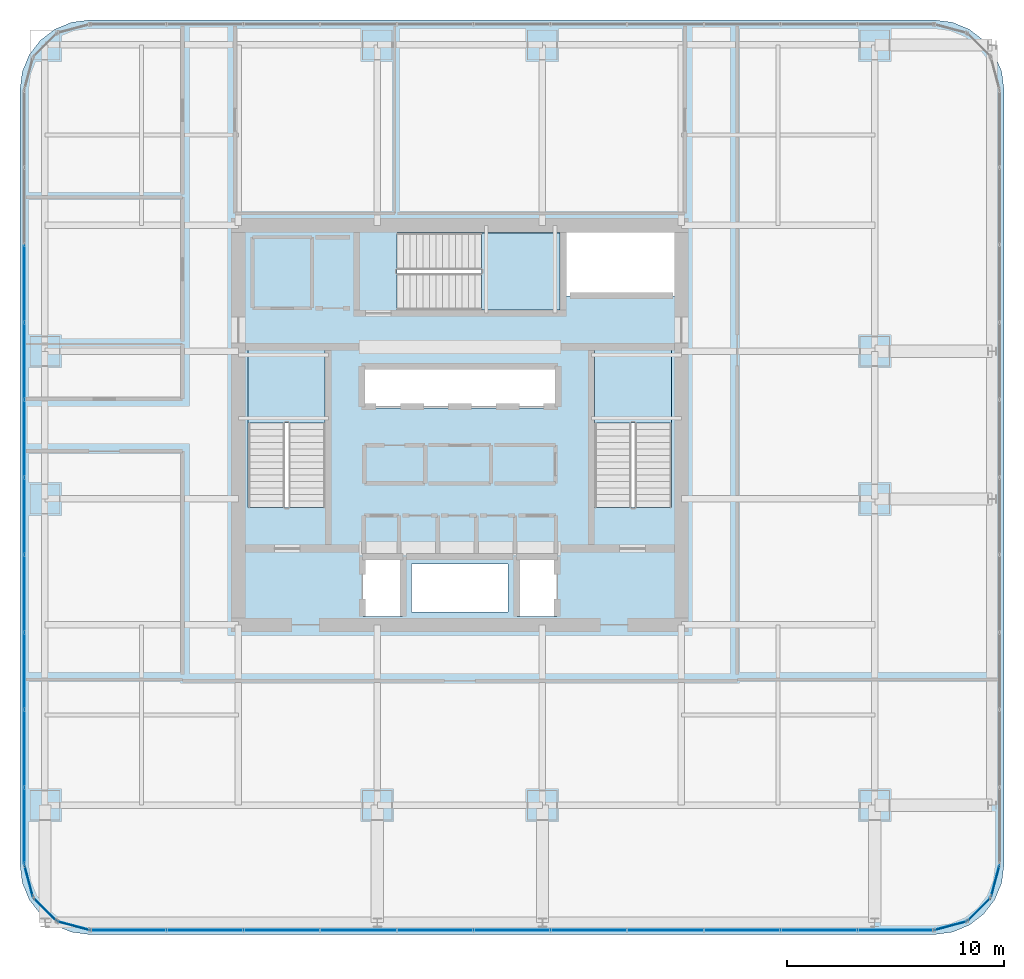
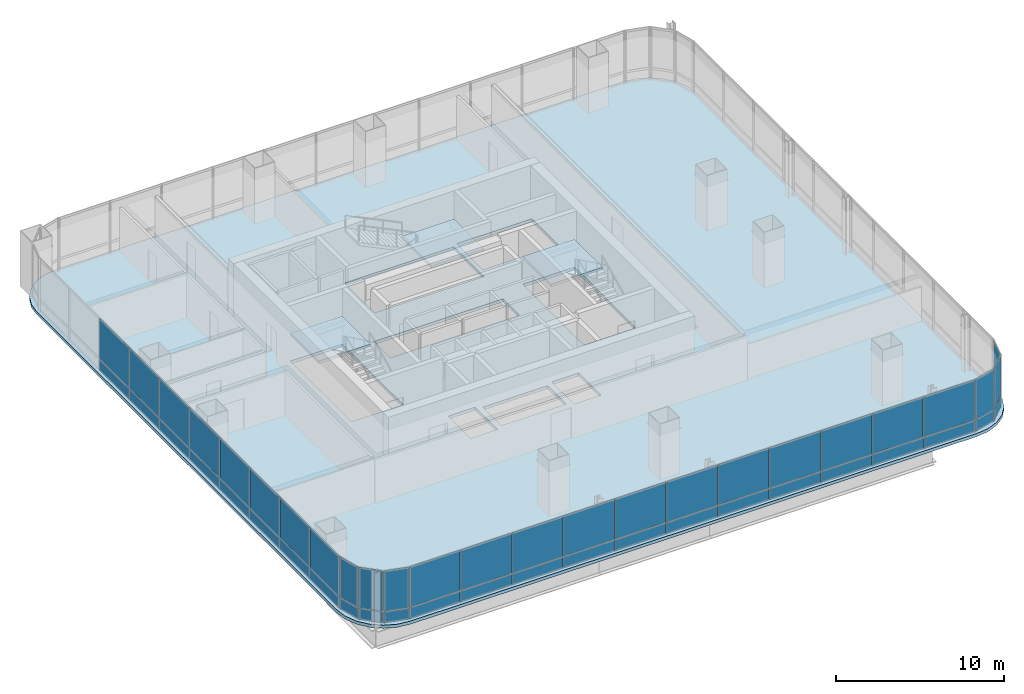
# One storey, part 27 of 36: 50 plates, 4 slabs, 11 elements without a shape of their own.
"""IFC4 building model written with IfcOpenShell, lengths in metres."""

from ifc_helpers import new_model, si_unit, direction, frame, origin, origin_2d, place, context, subcontext, project, spatial, polyline, rectangle, outline, extrude, material, layer, layer_set, type_object, element, aggregate, save


model = new_model("IFC4")

# Units and contexts
model_context = context("Model", 3, precision=1e-05, world=origin(), true_north=direction((0.0, 1.0)))
body_context = subcontext(model_context, "Body", "Model", "MODEL_VIEW")
ifc_project = project(units=[si_unit("LENGTHUNIT", "METRE"), si_unit("AREAUNIT", "SQUARE_METRE"), si_unit("VOLUMEUNIT", "CUBIC_METRE"), si_unit("PLANEANGLEUNIT", "RADIAN"), si_unit("MASSUNIT", "GRAM", prefix="KILO")], contexts=[model_context])

# Site, building, storey
site_placement = place(None, origin())
site = spatial("IfcSite", under=ifc_project, at=site_placement, CompositionType="ELEMENT")
building_placement = place(site_placement, origin())
building = spatial("IfcBuilding", under=site, at=building_placement, Name="Punatoya Terracotta Tower", CompositionType="ELEMENT")
storey_placement = place(building_placement, frame((0.0, 0.0, 212.699951171875)))
storey = spatial("IfcBuildingStorey", under=building, at=storey_placement, Name="L50", CompositionType="ELEMENT", Elevation=212.699951171875)

# Curtain wall, plates
ifc_material_1 = material(Name="Aluminium 6063-T6 + Double Low-E Glass", Category="aluminium")
curtain_wall_type = type_object("IfcCurtainWallType", Name="CW-M2", PredefinedType="NOTDEFINED", material=ifc_material_1)
curtain_wall_1_placement = place(storey_placement, origin())
curtain_wall_1 = element("IfcCurtainWall", 1, at=curtain_wall_1_placement, inside=storey, type_object=curtain_wall_type, Name="L50 Curtain Wall CW-L50-S01-1", PredefinedType="NOTDEFINED")
ifc_material_2 = material(Name="Double Low-E Acoustic Vision Glass", Category="glass")
ifc_layer_1 = layer(ifc_material_2, 0.031982421875)
ifc_layer_set_1 = layer_set([ifc_layer_1], Name="Double Low-E Acoustic Vision Glass")
plate_type_1 = type_object("IfcPlateType", Name="PLT-GLZ-32", PredefinedType="CURTAIN_PANEL", material=ifc_layer_set_1)
plate_1_placement = place(storey_placement, frame((-15.27001953125, -23.25, 0.89013671875), z_axis=(0.0, 0.0, 1.0), x_axis=(1.0, 0.0, 0.0)))
plate_1 = element("IfcPlate", 2, at=plate_1_placement, type_object=plate_type_1, Name="CW-L50-S01-1 Vision Glass Panel 1", PredefinedType="CURTAIN_PANEL", context=body_context, shape_type="SweptSolid", body=[
    extrude(rectangle(XDim=3.448974609375, YDim=0.031982421875, at=origin_2d()), origin(), (0.0, 0.0, 1.0), 2.89990234375),
])
plate_2_placement = place(storey_placement, frame((-11.73583984375, -23.25, 0.89013671875), z_axis=(0.0, 0.0, 1.0), x_axis=(1.0, 0.0, 0.0)))
plate_2 = element("IfcPlate", 3, at=plate_2_placement, type_object=plate_type_1, Name="CW-L50-S01-1 Vision Glass Panel 2", PredefinedType="CURTAIN_PANEL", context=body_context, shape_type="SweptSolid", body=[
    extrude(rectangle(XDim=3.448974609375, YDim=0.031982421875, at=origin_2d()), origin(), (0.0, 0.0, 1.0), 2.89990234375),
])
plate_3_placement = place(storey_placement, frame((-8.201904296875, -23.25, 0.89013671875), z_axis=(0.0, 0.0, 1.0), x_axis=(1.0, 0.0, 0.0)))
plate_3 = element("IfcPlate", 4, at=plate_3_placement, type_object=plate_type_1, Name="CW-L50-S01-1 Vision Glass Panel 3", PredefinedType="CURTAIN_PANEL", context=body_context, shape_type="SweptSolid", body=[
    extrude(rectangle(XDim=3.448974609375, YDim=0.031982421875, at=origin_2d()), origin(), (0.0, 0.0, 1.0), 2.89990234375),
])
plate_4_placement = place(storey_placement, frame((-4.66796875, -23.25, 0.89013671875), z_axis=(0.0, 0.0, 1.0), x_axis=(1.0, 0.0, 0.0)))
plate_4 = element("IfcPlate", 5, at=plate_4_placement, type_object=plate_type_1, Name="CW-L50-S01-1 Vision Glass Panel 4", PredefinedType="CURTAIN_PANEL", context=body_context, shape_type="SweptSolid", body=[
    extrude(rectangle(XDim=3.448974609375, YDim=0.031982421875, at=origin_2d()), origin(), (0.0, 0.0, 1.0), 2.89990234375),
])
plate_5_placement = place(storey_placement, frame((-1.134033203125, -23.25, 0.89013671875), z_axis=(0.0, 0.0, 1.0), x_axis=(1.0, 0.0, 0.0)))
plate_5 = element("IfcPlate", 6, at=plate_5_placement, type_object=plate_type_1, Name="CW-L50-S01-1 Vision Glass Panel 5", PredefinedType="CURTAIN_PANEL", context=body_context, shape_type="SweptSolid", body=[
    extrude(rectangle(XDim=3.448974609375, YDim=0.031982421875, at=origin_2d()), origin(), (0.0, 0.0, 1.0), 2.89990234375),
])
plate_6_placement = place(storey_placement, frame((2.39990234375, -23.25, 0.89013671875), z_axis=(0.0, 0.0, 1.0), x_axis=(1.0, 0.0, 0.0)))
plate_6 = element("IfcPlate", 7, at=plate_6_placement, type_object=plate_type_1, Name="CW-L50-S01-1 Vision Glass Panel 6", PredefinedType="CURTAIN_PANEL", context=body_context, shape_type="SweptSolid", body=[
    extrude(rectangle(XDim=3.448974609375, YDim=0.031982421875, at=origin_2d()), origin(), (0.0, 0.0, 1.0), 2.89990234375),
])
plate_7_placement = place(storey_placement, frame((5.93408203125, -23.25, 0.89013671875), z_axis=(0.0, 0.0, 1.0), x_axis=(1.0, 0.0, 0.0)))
plate_7 = element("IfcPlate", 8, at=plate_7_placement, type_object=plate_type_1, Name="CW-L50-S01-1 Vision Glass Panel 7", PredefinedType="CURTAIN_PANEL", context=body_context, shape_type="SweptSolid", body=[
    extrude(rectangle(XDim=3.448974609375, YDim=0.031982421875, at=origin_2d()), origin(), (0.0, 0.0, 1.0), 2.89990234375),
])
plate_8_placement = place(storey_placement, frame((9.468017578125, -23.25, 0.89013671875), z_axis=(0.0, 0.0, 1.0), x_axis=(1.0, 0.0, 0.0)))
plate_8 = element("IfcPlate", 9, at=plate_8_placement, type_object=plate_type_1, Name="CW-L50-S01-1 Vision Glass Panel 8", PredefinedType="CURTAIN_PANEL", context=body_context, shape_type="SweptSolid", body=[
    extrude(rectangle(XDim=3.448974609375, YDim=0.031982421875, at=origin_2d()), origin(), (0.0, 0.0, 1.0), 2.89990234375),
])
plate_9_placement = place(storey_placement, frame((13.001953125, -23.25, 0.89013671875), z_axis=(0.0, 0.0, 1.0), x_axis=(1.0, 0.0, 0.0)))
plate_9 = element("IfcPlate", 10, at=plate_9_placement, type_object=plate_type_1, Name="CW-L50-S01-1 Vision Glass Panel 9", PredefinedType="CURTAIN_PANEL", context=body_context, shape_type="SweptSolid", body=[
    extrude(rectangle(XDim=3.448974609375, YDim=0.031982421875, at=origin_2d()), origin(), (0.0, 0.0, 1.0), 2.89990234375),
])
plate_10_placement = place(storey_placement, frame((16.535888671875, -23.25, 0.89013671875), z_axis=(0.0, 0.0, 1.0), x_axis=(1.0, 0.0, 0.0)))
plate_10 = element("IfcPlate", 11, at=plate_10_placement, type_object=plate_type_1, Name="CW-L50-S01-1 Vision Glass Panel 10", PredefinedType="CURTAIN_PANEL", context=body_context, shape_type="SweptSolid", body=[
    extrude(rectangle(XDim=3.448974609375, YDim=0.031982421875, at=origin_2d()), origin(), (0.0, 0.0, 1.0), 2.89990234375),
])
plate_11_placement = place(storey_placement, frame((20.06982421875, -23.25, 0.89013671875), z_axis=(0.0, 0.0, 1.0), x_axis=(1.0, 0.0, 0.0)))
plate_11 = element("IfcPlate", 12, at=plate_11_placement, type_object=plate_type_1, Name="CW-L50-S01-1 Vision Glass Panel 11", PredefinedType="CURTAIN_PANEL", context=body_context, shape_type="SweptSolid", body=[
    extrude(rectangle(XDim=3.448974609375, YDim=0.031982421875, at=origin_2d()), origin(), (0.0, 0.0, 1.0), 2.89990234375),
])

# Curtain wall, plate
curtain_wall_2_placement = place(storey_placement, origin())
curtain_wall_2 = element("IfcCurtainWall", 13, at=curtain_wall_2_placement, inside=storey, type_object=curtain_wall_type, Name="L50 Curtain Wall CW-L50-CRN02", PredefinedType="NOTDEFINED")
plate_12_placement = place(storey_placement, frame((22.593017578125, -23.04833984375, 0.89013671875), z_axis=(0.0, 0.0, 1.0), x_axis=(0.966213877436, 0.257741620719, 0.0)))
plate_12 = element("IfcPlate", 14, at=plate_12_placement, type_object=plate_type_1, Name="CW-L50-CRN02 Vision Glass Panel 1", PredefinedType="CURTAIN_PANEL", context=body_context, shape_type="SweptSolid", body=[
    extrude(rectangle(XDim=1.47998046875, YDim=0.031982421875, at=origin_2d()), origin(), (0.0, 0.0, 1.0), 2.89990234375),
])

curtain_wall_3_placement = place(storey_placement, origin())
curtain_wall_3 = element("IfcCurtainWall", 15, at=curtain_wall_3_placement, inside=storey, type_object=curtain_wall_type, Name="L50 Curtain Wall CW-L50-CRN03", PredefinedType="NOTDEFINED")
plate_13_placement = place(storey_placement, frame((23.89794921875, -22.2978515625, 0.89013671875), z_axis=(0.0, 0.0, 1.0), x_axis=(0.707106781187, 0.707106781187, 0.0)))
plate_13 = element("IfcPlate", 16, at=plate_13_placement, type_object=plate_type_1, Name="CW-L50-CRN03 Vision Glass Panel 1", PredefinedType="CURTAIN_PANEL", context=body_context, shape_type="SweptSolid", body=[
    extrude(rectangle(XDim=1.467041015625, YDim=0.031982421875, at=origin_2d()), origin(), (0.0, 0.0, 1.0), 2.89990234375),
])

curtain_wall_4_placement = place(storey_placement, origin())
curtain_wall_4 = element("IfcCurtainWall", 17, at=curtain_wall_4_placement, inside=storey, type_object=curtain_wall_type, Name="L50 Curtain Wall CW-L50-CRN04", PredefinedType="NOTDEFINED")
plate_14_placement = place(storey_placement, frame((24.648193359375, -20.992919921875, 0.89013671875), z_axis=(0.0, 0.0, 1.0), x_axis=(0.257741620719, 0.966213877436, 0.0)))
plate_14 = element("IfcPlate", 18, at=plate_14_placement, type_object=plate_type_1, Name="CW-L50-CRN04 Vision Glass Panel 1", PredefinedType="CURTAIN_PANEL", context=body_context, shape_type="SweptSolid", body=[
    extrude(rectangle(XDim=1.47998046875, YDim=0.031982421875, at=origin_2d()), origin(), (0.0, 0.0, 1.0), 2.89990234375),
])

# Curtain wall, plates
curtain_wall_5_placement = place(storey_placement, origin())
curtain_wall_5 = element("IfcCurtainWall", 19, at=curtain_wall_5_placement, inside=storey, type_object=curtain_wall_type, Name="L50 Curtain Wall CW-L50-W13-1", PredefinedType="NOTDEFINED")
plate_15_placement = place(storey_placement, frame((-20.050048828125, 6.518310546875, 0.89013671875), z_axis=(0.0, 0.0, 1.0), x_axis=(0.0, -1.0, 0.0)))
plate_15 = element("IfcPlate", 20, at=plate_15_placement, type_object=plate_type_1, Name="CW-L50-W13-1 Vision Glass Panel 3", PredefinedType="CURTAIN_PANEL", context=body_context, shape_type="SweptSolid", body=[
    extrude(rectangle(XDim=3.482421875, YDim=0.031982421875, at=origin_2d()), origin(), (0.0, 0.0, 1.0), 2.89990234375),
])
plate_16_placement = place(storey_placement, frame((-20.050048828125, 2.951171875, 0.89013671875), z_axis=(0.0, 0.0, 1.0), x_axis=(0.0, -1.0, 0.0)))
plate_16 = element("IfcPlate", 21, at=plate_16_placement, type_object=plate_type_1, Name="CW-L50-W13-1 Vision Glass Panel 4", PredefinedType="CURTAIN_PANEL", context=body_context, shape_type="SweptSolid", body=[
    extrude(rectangle(XDim=3.482421875, YDim=0.031982421875, at=origin_2d()), origin(), (0.0, 0.0, 1.0), 2.89990234375),
])
plate_17_placement = place(storey_placement, frame((-20.050048828125, -0.6162109375, 0.89013671875), z_axis=(0.0, 0.0, 1.0), x_axis=(0.0, -1.0, 0.0)))
plate_17 = element("IfcPlate", 22, at=plate_17_placement, type_object=plate_type_1, Name="CW-L50-W13-1 Vision Glass Panel 5", PredefinedType="CURTAIN_PANEL", context=body_context, shape_type="SweptSolid", body=[
    extrude(rectangle(XDim=3.482421875, YDim=0.031982421875, at=origin_2d()), origin(), (0.0, 0.0, 1.0), 2.89990234375),
])
plate_18_placement = place(storey_placement, frame((-20.050048828125, -4.18359375, 0.89013671875), z_axis=(0.0, 0.0, 1.0), x_axis=(0.0, -1.0, 0.0)))
plate_18 = element("IfcPlate", 23, at=plate_18_placement, type_object=plate_type_1, Name="CW-L50-W13-1 Vision Glass Panel 6", PredefinedType="CURTAIN_PANEL", context=body_context, shape_type="SweptSolid", body=[
    extrude(rectangle(XDim=3.482421875, YDim=0.031982421875, at=origin_2d()), origin(), (0.0, 0.0, 1.0), 2.89990234375),
])
plate_19_placement = place(storey_placement, frame((-20.050048828125, -7.751220703125, 0.89013671875), z_axis=(0.0, 0.0, 1.0), x_axis=(0.0, -1.0, 0.0)))
plate_19 = element("IfcPlate", 24, at=plate_19_placement, type_object=plate_type_1, Name="CW-L50-W13-1 Vision Glass Panel 7", PredefinedType="CURTAIN_PANEL", context=body_context, shape_type="SweptSolid", body=[
    extrude(rectangle(XDim=3.482421875, YDim=0.031982421875, at=origin_2d()), origin(), (0.0, 0.0, 1.0), 2.89990234375),
])
plate_20_placement = place(storey_placement, frame((-20.050048828125, -11.318359375, 0.89013671875), z_axis=(0.0, 0.0, 1.0), x_axis=(0.0, -1.0, 0.0)))
plate_20 = element("IfcPlate", 25, at=plate_20_placement, type_object=plate_type_1, Name="CW-L50-W13-1 Vision Glass Panel 8", PredefinedType="CURTAIN_PANEL", context=body_context, shape_type="SweptSolid", body=[
    extrude(rectangle(XDim=3.482421875, YDim=0.031982421875, at=origin_2d()), origin(), (0.0, 0.0, 1.0), 2.89990234375),
])
plate_21_placement = place(storey_placement, frame((-20.050048828125, -14.8857421875, 0.89013671875), z_axis=(0.0, 0.0, 1.0), x_axis=(0.0, -1.0, 0.0)))
plate_21 = element("IfcPlate", 26, at=plate_21_placement, type_object=plate_type_1, Name="CW-L50-W13-1 Vision Glass Panel 9", PredefinedType="CURTAIN_PANEL", context=body_context, shape_type="SweptSolid", body=[
    extrude(rectangle(XDim=3.482421875, YDim=0.031982421875, at=origin_2d()), origin(), (0.0, 0.0, 1.0), 2.89990234375),
])
plate_22_placement = place(storey_placement, frame((-20.050048828125, -18.453125, 0.89013671875), z_axis=(0.0, 0.0, 1.0), x_axis=(0.0, -1.0, 0.0)))
plate_22 = element("IfcPlate", 27, at=plate_22_placement, type_object=plate_type_1, Name="CW-L50-W13-1 Vision Glass Panel 10", PredefinedType="CURTAIN_PANEL", context=body_context, shape_type="SweptSolid", body=[
    extrude(rectangle(XDim=3.482421875, YDim=0.031982421875, at=origin_2d()), origin(), (0.0, 0.0, 1.0), 2.89990234375),
])

# Curtain wall, plate
curtain_wall_6_placement = place(storey_placement, origin())
curtain_wall_6 = element("IfcCurtainWall", 28, at=curtain_wall_6_placement, inside=storey, type_object=curtain_wall_type, Name="L50 Curtain Wall CW-L50-CRN14", PredefinedType="NOTDEFINED")
plate_23_placement = place(storey_placement, frame((-19.848388671875, -20.992919921875, 0.89013671875), z_axis=(0.0, 0.0, 1.0), x_axis=(0.257741620719, -0.966213877436, 0.0)))
plate_23 = element("IfcPlate", 29, at=plate_23_placement, type_object=plate_type_1, Name="CW-L50-CRN14 Vision Glass Panel 1", PredefinedType="CURTAIN_PANEL", context=body_context, shape_type="SweptSolid", body=[
    extrude(rectangle(XDim=1.47998046875, YDim=0.031982421875, at=origin_2d()), origin(), (0.0, 0.0, 1.0), 2.89990234375),
])

curtain_wall_7_placement = place(storey_placement, origin())
curtain_wall_7 = element("IfcCurtainWall", 30, at=curtain_wall_7_placement, inside=storey, type_object=curtain_wall_type, Name="L50 Curtain Wall CW-L50-CRN15", PredefinedType="NOTDEFINED")
plate_24_placement = place(storey_placement, frame((-19.097900390625, -22.2978515625, 0.89013671875), z_axis=(0.0, 0.0, 1.0), x_axis=(0.707106781187, -0.707106781187, 0.0)))
plate_24 = element("IfcPlate", 31, at=plate_24_placement, type_object=plate_type_1, Name="CW-L50-CRN15 Vision Glass Panel 1", PredefinedType="CURTAIN_PANEL", context=body_context, shape_type="SweptSolid", body=[
    extrude(rectangle(XDim=1.467041015625, YDim=0.031982421875, at=origin_2d()), origin(), (0.0, 0.0, 1.0), 2.89990234375),
])

curtain_wall_8_placement = place(storey_placement, origin())
curtain_wall_8 = element("IfcCurtainWall", 32, at=curtain_wall_8_placement, inside=storey, type_object=curtain_wall_type, Name="L50 Curtain Wall CW-L50-CRN16", PredefinedType="NOTDEFINED")
plate_25_placement = place(storey_placement, frame((-17.79296875, -23.04833984375, 0.89013671875), z_axis=(0.0, 0.0, 1.0), x_axis=(0.966213877436, -0.257741620719, 0.0)))
plate_25 = element("IfcPlate", 33, at=plate_25_placement, type_object=plate_type_1, Name="CW-L50-CRN16 Vision Glass Panel 1", PredefinedType="CURTAIN_PANEL", context=body_context, shape_type="SweptSolid", body=[
    extrude(rectangle(XDim=1.47998046875, YDim=0.031982421875, at=origin_2d()), origin(), (0.0, 0.0, 1.0), 2.89990234375),
])

# Plate
ifc_material_3 = material(Name="Insulated Terracotta-Backed Spandrel Panel", Category="masonry")
ifc_layer_2 = layer(ifc_material_3, 0.044921875)
ifc_layer_set_2 = layer_set([ifc_layer_2], Name="Insulated Terracotta-Backed Spandrel Panel")
plate_type_2 = type_object("IfcPlateType", Name="PLT-SPN-45", PredefinedType="CURTAIN_PANEL", material=ifc_layer_set_2)
plate_26_placement = place(storey_placement, frame((-15.27001953125, -23.25, 0.0400390625), z_axis=(0.0, 0.0, 1.0), x_axis=(1.0, 0.0, 0.0)))
plate_26 = element("IfcPlate", 34, at=plate_26_placement, type_object=plate_type_2, Name="CW-L50-S01-1 Terracotta Spandrel Panel 1", PredefinedType="CURTAIN_PANEL", context=body_context, shape_type="SweptSolid", body=[
    extrude(rectangle(XDim=3.448974609375, YDim=0.044921875, at=origin_2d()), origin(), (0.0, 0.0, 1.0), 0.77490234375),
])

plate_27_placement = place(storey_placement, frame((-11.73583984375, -23.25, 0.0400390625), z_axis=(0.0, 0.0, 1.0), x_axis=(1.0, 0.0, 0.0)))
plate_27 = element("IfcPlate", 35, at=plate_27_placement, type_object=plate_type_2, Name="CW-L50-S01-1 Terracotta Spandrel Panel 2", PredefinedType="CURTAIN_PANEL", context=body_context, shape_type="SweptSolid", body=[
    extrude(rectangle(XDim=3.448974609375, YDim=0.044921875, at=origin_2d()), origin(), (0.0, 0.0, 1.0), 0.77490234375),
])

plate_28_placement = place(storey_placement, frame((-8.201904296875, -23.25, 0.0400390625), z_axis=(0.0, 0.0, 1.0), x_axis=(1.0, 0.0, 0.0)))
plate_28 = element("IfcPlate", 36, at=plate_28_placement, type_object=plate_type_2, Name="CW-L50-S01-1 Terracotta Spandrel Panel 3", PredefinedType="CURTAIN_PANEL", context=body_context, shape_type="SweptSolid", body=[
    extrude(rectangle(XDim=3.448974609375, YDim=0.044921875, at=origin_2d()), origin(), (0.0, 0.0, 1.0), 0.77490234375),
])

plate_29_placement = place(storey_placement, frame((-4.66796875, -23.25, 0.0400390625), z_axis=(0.0, 0.0, 1.0), x_axis=(1.0, 0.0, 0.0)))
plate_29 = element("IfcPlate", 37, at=plate_29_placement, type_object=plate_type_2, Name="CW-L50-S01-1 Terracotta Spandrel Panel 4", PredefinedType="CURTAIN_PANEL", context=body_context, shape_type="SweptSolid", body=[
    extrude(rectangle(XDim=3.448974609375, YDim=0.044921875, at=origin_2d()), origin(), (0.0, 0.0, 1.0), 0.77490234375),
])

plate_30_placement = place(storey_placement, frame((-1.134033203125, -23.25, 0.0400390625), z_axis=(0.0, 0.0, 1.0), x_axis=(1.0, 0.0, 0.0)))
plate_30 = element("IfcPlate", 38, at=plate_30_placement, type_object=plate_type_2, Name="CW-L50-S01-1 Terracotta Spandrel Panel 5", PredefinedType="CURTAIN_PANEL", context=body_context, shape_type="SweptSolid", body=[
    extrude(rectangle(XDim=3.448974609375, YDim=0.044921875, at=origin_2d()), origin(), (0.0, 0.0, 1.0), 0.77490234375),
])

plate_31_placement = place(storey_placement, frame((2.39990234375, -23.25, 0.0400390625), z_axis=(0.0, 0.0, 1.0), x_axis=(1.0, 0.0, 0.0)))
plate_31 = element("IfcPlate", 39, at=plate_31_placement, type_object=plate_type_2, Name="CW-L50-S01-1 Terracotta Spandrel Panel 6", PredefinedType="CURTAIN_PANEL", context=body_context, shape_type="SweptSolid", body=[
    extrude(rectangle(XDim=3.448974609375, YDim=0.044921875, at=origin_2d()), origin(), (0.0, 0.0, 1.0), 0.77490234375),
])

plate_32_placement = place(storey_placement, frame((5.93408203125, -23.25, 0.0400390625), z_axis=(0.0, 0.0, 1.0), x_axis=(1.0, 0.0, 0.0)))
plate_32 = element("IfcPlate", 40, at=plate_32_placement, type_object=plate_type_2, Name="CW-L50-S01-1 Terracotta Spandrel Panel 7", PredefinedType="CURTAIN_PANEL", context=body_context, shape_type="SweptSolid", body=[
    extrude(rectangle(XDim=3.448974609375, YDim=0.044921875, at=origin_2d()), origin(), (0.0, 0.0, 1.0), 0.77490234375),
])

plate_33_placement = place(storey_placement, frame((9.468017578125, -23.25, 0.0400390625), z_axis=(0.0, 0.0, 1.0), x_axis=(1.0, 0.0, 0.0)))
plate_33 = element("IfcPlate", 41, at=plate_33_placement, type_object=plate_type_2, Name="CW-L50-S01-1 Terracotta Spandrel Panel 8", PredefinedType="CURTAIN_PANEL", context=body_context, shape_type="SweptSolid", body=[
    extrude(rectangle(XDim=3.448974609375, YDim=0.044921875, at=origin_2d()), origin(), (0.0, 0.0, 1.0), 0.77490234375),
])

plate_34_placement = place(storey_placement, frame((13.001953125, -23.25, 0.0400390625), z_axis=(0.0, 0.0, 1.0), x_axis=(1.0, 0.0, 0.0)))
plate_34 = element("IfcPlate", 42, at=plate_34_placement, type_object=plate_type_2, Name="CW-L50-S01-1 Terracotta Spandrel Panel 9", PredefinedType="CURTAIN_PANEL", context=body_context, shape_type="SweptSolid", body=[
    extrude(rectangle(XDim=3.448974609375, YDim=0.044921875, at=origin_2d()), origin(), (0.0, 0.0, 1.0), 0.77490234375),
])

plate_35_placement = place(storey_placement, frame((16.535888671875, -23.25, 0.0400390625), z_axis=(0.0, 0.0, 1.0), x_axis=(1.0, 0.0, 0.0)))
plate_35 = element("IfcPlate", 43, at=plate_35_placement, type_object=plate_type_2, Name="CW-L50-S01-1 Terracotta Spandrel Panel 10", PredefinedType="CURTAIN_PANEL", context=body_context, shape_type="SweptSolid", body=[
    extrude(rectangle(XDim=3.448974609375, YDim=0.044921875, at=origin_2d()), origin(), (0.0, 0.0, 1.0), 0.77490234375),
])

plate_36_placement = place(storey_placement, frame((20.06982421875, -23.25, 0.0400390625), z_axis=(0.0, 0.0, 1.0), x_axis=(1.0, 0.0, 0.0)))
plate_36 = element("IfcPlate", 44, at=plate_36_placement, type_object=plate_type_2, Name="CW-L50-S01-1 Terracotta Spandrel Panel 11", PredefinedType="CURTAIN_PANEL", context=body_context, shape_type="SweptSolid", body=[
    extrude(rectangle(XDim=3.448974609375, YDim=0.044921875, at=origin_2d()), origin(), (0.0, 0.0, 1.0), 0.77490234375),
])

aggregate(curtain_wall_1, [plate_26, plate_1, plate_27, plate_2, plate_28, plate_3, plate_29, plate_4, plate_30, plate_5, plate_31, plate_6, plate_32, plate_7, plate_33, plate_8, plate_34, plate_9, plate_35, plate_10, plate_36, plate_11])

plate_37_placement = place(storey_placement, frame((22.593017578125, -23.04833984375, 0.0400390625), z_axis=(0.0, 0.0, 1.0), x_axis=(0.966213877436, 0.257741620719, 0.0)))
plate_37 = element("IfcPlate", 45, at=plate_37_placement, type_object=plate_type_2, Name="CW-L50-CRN02 Terracotta Spandrel Panel 1", PredefinedType="CURTAIN_PANEL", context=body_context, shape_type="SweptSolid", body=[
    extrude(rectangle(XDim=1.47998046875, YDim=0.044921875, at=origin_2d()), origin(), (0.0, 0.0, 1.0), 0.77490234375),
])

aggregate(curtain_wall_2, [plate_37, plate_12])

plate_38_placement = place(storey_placement, frame((23.89794921875, -22.2978515625, 0.0400390625), z_axis=(0.0, 0.0, 1.0), x_axis=(0.707106781187, 0.707106781187, 0.0)))
plate_38 = element("IfcPlate", 46, at=plate_38_placement, type_object=plate_type_2, Name="CW-L50-CRN03 Terracotta Spandrel Panel 1", PredefinedType="CURTAIN_PANEL", context=body_context, shape_type="SweptSolid", body=[
    extrude(rectangle(XDim=1.467041015625, YDim=0.044921875, at=origin_2d()), origin(), (0.0, 0.0, 1.0), 0.77490234375),
])

aggregate(curtain_wall_3, [plate_38, plate_13])

plate_39_placement = place(storey_placement, frame((24.648193359375, -20.992919921875, 0.0400390625), z_axis=(0.0, 0.0, 1.0), x_axis=(0.257741620719, 0.966213877436, 0.0)))
plate_39 = element("IfcPlate", 47, at=plate_39_placement, type_object=plate_type_2, Name="CW-L50-CRN04 Terracotta Spandrel Panel 1", PredefinedType="CURTAIN_PANEL", context=body_context, shape_type="SweptSolid", body=[
    extrude(rectangle(XDim=1.47998046875, YDim=0.044921875, at=origin_2d()), origin(), (0.0, 0.0, 1.0), 0.77490234375),
])

aggregate(curtain_wall_4, [plate_39, plate_14])

plate_40_placement = place(storey_placement, frame((-20.050048828125, 6.518310546875, 0.0400390625), z_axis=(0.0, 0.0, 1.0), x_axis=(0.0, -1.0, 0.0)))
plate_40 = element("IfcPlate", 48, at=plate_40_placement, type_object=plate_type_2, Name="CW-L50-W13-1 Terracotta Spandrel Panel 3", PredefinedType="CURTAIN_PANEL", context=body_context, shape_type="SweptSolid", body=[
    extrude(rectangle(XDim=3.482421875, YDim=0.044921875, at=origin_2d()), origin(), (0.0, 0.0, 1.0), 0.77490234375),
])

plate_41_placement = place(storey_placement, frame((-20.050048828125, 2.951171875, 0.0400390625), z_axis=(0.0, 0.0, 1.0), x_axis=(0.0, -1.0, 0.0)))
plate_41 = element("IfcPlate", 49, at=plate_41_placement, type_object=plate_type_2, Name="CW-L50-W13-1 Terracotta Spandrel Panel 4", PredefinedType="CURTAIN_PANEL", context=body_context, shape_type="SweptSolid", body=[
    extrude(rectangle(XDim=3.482421875, YDim=0.044921875, at=origin_2d()), origin(), (0.0, 0.0, 1.0), 0.77490234375),
])

plate_42_placement = place(storey_placement, frame((-20.050048828125, -0.6162109375, 0.0400390625), z_axis=(0.0, 0.0, 1.0), x_axis=(0.0, -1.0, 0.0)))
plate_42 = element("IfcPlate", 50, at=plate_42_placement, type_object=plate_type_2, Name="CW-L50-W13-1 Terracotta Spandrel Panel 5", PredefinedType="CURTAIN_PANEL", context=body_context, shape_type="SweptSolid", body=[
    extrude(rectangle(XDim=3.482421875, YDim=0.044921875, at=origin_2d()), origin(), (0.0, 0.0, 1.0), 0.77490234375),
])

plate_43_placement = place(storey_placement, frame((-20.050048828125, -4.18359375, 0.0400390625), z_axis=(0.0, 0.0, 1.0), x_axis=(0.0, -1.0, 0.0)))
plate_43 = element("IfcPlate", 51, at=plate_43_placement, type_object=plate_type_2, Name="CW-L50-W13-1 Terracotta Spandrel Panel 6", PredefinedType="CURTAIN_PANEL", context=body_context, shape_type="SweptSolid", body=[
    extrude(rectangle(XDim=3.482421875, YDim=0.044921875, at=origin_2d()), origin(), (0.0, 0.0, 1.0), 0.77490234375),
])

plate_44_placement = place(storey_placement, frame((-20.050048828125, -7.751220703125, 0.0400390625), z_axis=(0.0, 0.0, 1.0), x_axis=(0.0, -1.0, 0.0)))
plate_44 = element("IfcPlate", 52, at=plate_44_placement, type_object=plate_type_2, Name="CW-L50-W13-1 Terracotta Spandrel Panel 7", PredefinedType="CURTAIN_PANEL", context=body_context, shape_type="SweptSolid", body=[
    extrude(rectangle(XDim=3.482421875, YDim=0.044921875, at=origin_2d()), origin(), (0.0, 0.0, 1.0), 0.77490234375),
])

plate_45_placement = place(storey_placement, frame((-20.050048828125, -11.318359375, 0.0400390625), z_axis=(0.0, 0.0, 1.0), x_axis=(0.0, -1.0, 0.0)))
plate_45 = element("IfcPlate", 53, at=plate_45_placement, type_object=plate_type_2, Name="CW-L50-W13-1 Terracotta Spandrel Panel 8", PredefinedType="CURTAIN_PANEL", context=body_context, shape_type="SweptSolid", body=[
    extrude(rectangle(XDim=3.482421875, YDim=0.044921875, at=origin_2d()), origin(), (0.0, 0.0, 1.0), 0.77490234375),
])

plate_46_placement = place(storey_placement, frame((-20.050048828125, -14.8857421875, 0.0400390625), z_axis=(0.0, 0.0, 1.0), x_axis=(0.0, -1.0, 0.0)))
plate_46 = element("IfcPlate", 54, at=plate_46_placement, type_object=plate_type_2, Name="CW-L50-W13-1 Terracotta Spandrel Panel 9", PredefinedType="CURTAIN_PANEL", context=body_context, shape_type="SweptSolid", body=[
    extrude(rectangle(XDim=3.482421875, YDim=0.044921875, at=origin_2d()), origin(), (0.0, 0.0, 1.0), 0.77490234375),
])

plate_47_placement = place(storey_placement, frame((-20.050048828125, -18.453125, 0.0400390625), z_axis=(0.0, 0.0, 1.0), x_axis=(0.0, -1.0, 0.0)))
plate_47 = element("IfcPlate", 55, at=plate_47_placement, type_object=plate_type_2, Name="CW-L50-W13-1 Terracotta Spandrel Panel 10", PredefinedType="CURTAIN_PANEL", context=body_context, shape_type="SweptSolid", body=[
    extrude(rectangle(XDim=3.482421875, YDim=0.044921875, at=origin_2d()), origin(), (0.0, 0.0, 1.0), 0.77490234375),
])

aggregate(curtain_wall_5, [plate_40, plate_15, plate_41, plate_16, plate_42, plate_17, plate_43, plate_18, plate_44, plate_19, plate_45, plate_20, plate_46, plate_21, plate_47, plate_22])

plate_48_placement = place(storey_placement, frame((-19.848388671875, -20.992919921875, 0.0400390625), z_axis=(0.0, 0.0, 1.0), x_axis=(0.257741620719, -0.966213877436, 0.0)))
plate_48 = element("IfcPlate", 56, at=plate_48_placement, type_object=plate_type_2, Name="CW-L50-CRN14 Terracotta Spandrel Panel 1", PredefinedType="CURTAIN_PANEL", context=body_context, shape_type="SweptSolid", body=[
    extrude(rectangle(XDim=1.47998046875, YDim=0.044921875, at=origin_2d()), origin(), (0.0, 0.0, 1.0), 0.77490234375),
])

aggregate(curtain_wall_6, [plate_48, plate_23])

plate_49_placement = place(storey_placement, frame((-19.097900390625, -22.2978515625, 0.0400390625), z_axis=(0.0, 0.0, 1.0), x_axis=(0.707106781187, -0.707106781187, 0.0)))
plate_49 = element("IfcPlate", 57, at=plate_49_placement, type_object=plate_type_2, Name="CW-L50-CRN15 Terracotta Spandrel Panel 1", PredefinedType="CURTAIN_PANEL", context=body_context, shape_type="SweptSolid", body=[
    extrude(rectangle(XDim=1.467041015625, YDim=0.044921875, at=origin_2d()), origin(), (0.0, 0.0, 1.0), 0.77490234375),
])

aggregate(curtain_wall_7, [plate_49, plate_24])

plate_50_placement = place(storey_placement, frame((-17.79296875, -23.04833984375, 0.0400390625), z_axis=(0.0, 0.0, 1.0), x_axis=(0.966213877436, -0.257741620719, 0.0)))
plate_50 = element("IfcPlate", 58, at=plate_50_placement, type_object=plate_type_2, Name="CW-L50-CRN16 Terracotta Spandrel Panel 1", PredefinedType="CURTAIN_PANEL", context=body_context, shape_type="SweptSolid", body=[
    extrude(rectangle(XDim=1.47998046875, YDim=0.044921875, at=origin_2d()), origin(), (0.0, 0.0, 1.0), 0.77490234375),
])

aggregate(curtain_wall_8, [plate_50, plate_25])

# Stair, slab
ifc_material_4 = material(Name="Concrete C40/50", Category="concrete")
stair_type_1 = type_object("IfcStairType", Name="STR-TER-1450", PredefinedType="HALF_TURN_STAIR", material=ifc_material_4)
stair_1_placement = place(storey_placement, origin())
stair_1 = element("IfcStair", 59, at=stair_1_placement, inside=storey, type_object=stair_type_1, Name="L50 Protected Core Exit Stair ST-3", PredefinedType="HALF_TURN_STAIR")
ifc_layer_3 = layer(ifc_material_4, 0.1650390625)
ifc_layer_set_3 = layer_set([ifc_layer_3], Name="Concrete C40/50")
slab_type_1 = type_object("IfcSlabType", Name="SLB-LND-165", PredefinedType="LANDING", material=ifc_layer_set_3)
slab_1_placement = place(storey_placement, frame((0.0, 0.0, 1.824951171875)))
slab_1 = element("IfcSlab", 60, at=slab_1_placement, type_object=slab_type_1, Name="ST-3 landing 1", PredefinedType="LANDING", context=body_context, shape_type="SweptSolid", body=[
    extrude(outline(polyline([(1.0, 5.300048828125), (4.60009765625, 5.300048828125), (4.60009765625, 8.85009765625), (1.0, 8.85009765625), (1.0, 5.300048828125)])), origin(), (0.0, 0.0, 1.0), 0.2001953125),
])
aggregate(stair_1, [slab_1])

stair_type_2 = type_object("IfcStairType", Name="STR-CORE-1550", PredefinedType="HALF_TURN_STAIR", material=ifc_material_4)
stair_2_placement = place(storey_placement, origin())
stair_2 = element("IfcStair", 61, at=stair_2_placement, inside=storey, type_object=stair_type_2, Name="L50 Protected Core Exit Stair ST-1", PredefinedType="HALF_TURN_STAIR")
ifc_layer_4 = layer(ifc_material_4, 0.179931640625)
ifc_layer_set_4 = layer_set([ifc_layer_4], Name="Concrete C40/50")
slab_type_2 = type_object("IfcSlabType", Name="SLB-LND-180", PredefinedType="LANDING", material=ifc_layer_set_4)
slab_2_placement = place(storey_placement, frame((0.0, 0.0, 1.824951171875)))
slab_2 = element("IfcSlab", 62, at=slab_2_placement, type_object=slab_type_2, Name="ST-1 landing 1", PredefinedType="LANDING", context=body_context, shape_type="SweptSolid", body=[
    extrude(outline(polyline([(-6.199951171875, 0.10009765625), (-6.199951171875, 3.449951171875), (-9.75, 3.449951171875), (-9.75, 0.10009765625), (-6.199951171875, 0.10009765625)])), origin(), (0.0, 0.0, 1.0), 0.2001953125),
])
aggregate(stair_2, [slab_2])

stair_type_3 = type_object("IfcStairType", Name="STR-LOB-1650", PredefinedType="HALF_TURN_STAIR", material=ifc_material_4)
stair_3_placement = place(storey_placement, origin())
stair_3 = element("IfcStair", 63, at=stair_3_placement, inside=storey, type_object=stair_type_3, Name="L50 Protected Core Exit Stair ST-2", PredefinedType="HALF_TURN_STAIR")
slab_3_placement = place(storey_placement, frame((0.0, 0.0, 1.824951171875)))
slab_3 = element("IfcSlab", 64, at=slab_3_placement, type_object=slab_type_2, Name="ST-2 landing 1", PredefinedType="LANDING", context=body_context, shape_type="SweptSolid", body=[
    extrude(outline(polyline([(9.75, 0.10009765625), (9.75, 3.449951171875), (6.199951171875, 3.449951171875), (6.199951171875, 0.10009765625), (9.75, 0.10009765625)])), origin(), (0.0, 0.0, 1.0), 0.2001953125),
])
aggregate(stair_3, [slab_3])

# Slab
ifc_layer_5 = layer(ifc_material_4, 0.219970703125)
ifc_layer_set_5 = layer_set([ifc_layer_5], Name="Concrete C40/50")
slab_type_3 = type_object("IfcSlabType", Name="SLB-OFF-220", PredefinedType="FLOOR", material=ifc_layer_set_5)
slab_4_placement = place(storey_placement, frame((0.0, 0.0, -0.219970703125)))
element("IfcSlab", 65, at=slab_4_placement, inside=storey, type_object=slab_type_3, Name="L50 Structural Floor Slab", PredefinedType="FLOOR", context=body_context, shape_type="SweptSolid", body=[
    extrude(outline(polyline([(-17.050048828125, -23.449951171875), (-17.878173828125, -23.341064453125), (-18.64990234375, -23.021240234375), (-19.312744140625, -22.5126953125), (-19.8212890625, -21.85009765625), (-20.14111328125, -21.078125), (-20.25, -20.25), (-20.25, 15.449951171875), (-20.14111328125, 16.2783203125), (-19.8212890625, 17.050048828125), (-19.312744140625, 17.712646484375), (-18.64990234375, 18.22119140625), (-17.878173828125, 18.541015625), (-17.050048828125, 18.64990234375), (21.85009765625, 18.64990234375), (22.67822265625, 18.541015625), (23.449951171875, 18.22119140625), (24.11279296875, 17.712646484375), (24.621337890625, 17.050048828125), (24.94091796875, 16.2783203125), (25.050048828125, 15.449951171875), (25.050048828125, -20.25), (24.94091796875, -21.078125), (24.621337890625, -21.85009765625), (24.11279296875, -22.5126953125), (23.449951171875, -23.021240234375), (22.67822265625, -23.341064453125), (21.85009765625, -23.449951171875), (-17.050048828125, -23.449951171875)]), holes=[polyline([(-2.6298828125, -6.179931640625), (-4.469970703125, -6.179931640625), (-4.469970703125, -8.820068359375), (-2.6298828125, -8.820068359375), (-2.6298828125, -6.179931640625)]), polyline([(0.02001953125, -8.594970703125), (2.219970703125, -8.594970703125), (2.219970703125, -6.405029296875), (0.02001953125, -6.405029296875), (-0.02001953125, -6.405029296875), (-2.219970703125, -6.405029296875), (-2.219970703125, -8.594970703125), (-0.02001953125, -8.594970703125), (0.02001953125, -8.594970703125)]), polyline([(-6.199951171875, 3.449951171875), (-9.75, 3.449951171875), (-9.75, -3.79931640625), (-6.199951171875, -3.79931640625), (-6.199951171875, 3.449951171875)]), polyline([(-4.419921875, 2.719970703125), (-4.419921875, 0.780029296875), (-2.219970703125, 0.780029296875), (-2.179931640625, 0.780029296875), (-0.02001953125, 0.780029296875), (0.02001953125, 0.780029296875), (2.179931640625, 0.780029296875), (2.219970703125, 0.780029296875), (4.419921875, 0.780029296875), (4.419921875, 2.719970703125), (2.219970703125, 2.719970703125), (2.179931640625, 2.719970703125), (0.02001953125, 2.719970703125), (-0.02001953125, 2.719970703125), (-2.179931640625, 2.719970703125), (-2.219970703125, 2.719970703125), (-4.419921875, 2.719970703125)]), polyline([(4.60009765625, 5.300048828125), (4.60009765625, 8.85009765625), (-2.899169921875, 8.85009765625), (-2.899169921875, 5.300048828125), (4.60009765625, 5.300048828125)]), polyline([(4.469970703125, -8.820068359375), (4.469970703125, -6.179931640625), (2.6298828125, -6.179931640625), (2.6298828125, -8.820068359375), (4.469970703125, -8.820068359375)]), polyline([(9.75, 3.449951171875), (6.199951171875, 3.449951171875), (6.199951171875, -3.79931640625), (9.75, -3.79931640625), (9.75, 3.449951171875)]), polyline([(10.050048828125, 5.949951171875), (10.050048828125, 9.050048828125), (4.89990234375, 9.050048828125), (4.89990234375, 5.949951171875), (10.050048828125, 5.949951171875)])]), origin(), (0.0, 0.0, 1.0), 0.219970703125),
])

save(model, "model.ifc")
